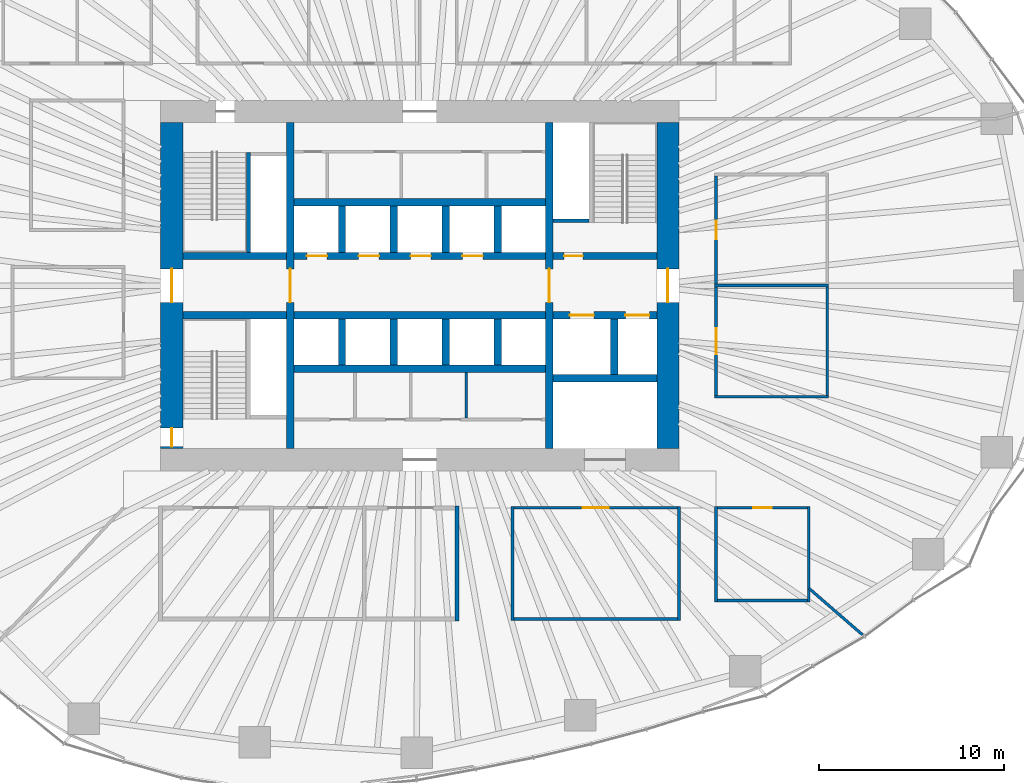
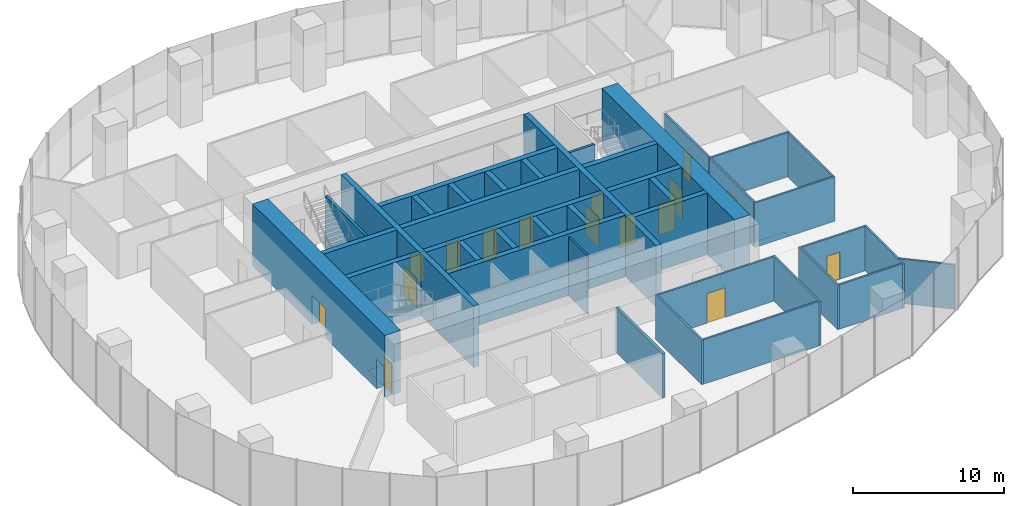
# One storey, part 10 of 19: 40 walls, 16 doors, 16 openings.
"""IFC4 building model written with IfcOpenShell, lengths in metres."""

from ifc_helpers import new_model, si_unit, direction, frame, frame_2d, origin, place, context, subcontext, project, spatial, rectangle, extrude, material, layer, layer_set, type_object, element, fill, save


model = new_model("IFC4")

# Units and contexts
model_context = context("Model", 3, precision=1e-05, world=origin(), true_north=direction((0.0, 1.0)))
body_context = subcontext(model_context, "Body", "Model", "MODEL_VIEW")
ifc_project = project(units=[si_unit("LENGTHUNIT", "METRE"), si_unit("AREAUNIT", "SQUARE_METRE"), si_unit("VOLUMEUNIT", "CUBIC_METRE"), si_unit("PLANEANGLEUNIT", "RADIAN"), si_unit("MASSUNIT", "GRAM", prefix="KILO")], contexts=[model_context])

# Site, building, storey
site_placement = place(None, origin())
site = spatial("IfcSite", under=ifc_project, at=site_placement, CompositionType="ELEMENT")
building_placement = place(site_placement, origin())
building = spatial("IfcBuilding", under=site, at=building_placement, Name="Ghaith Harvest Tower", CompositionType="ELEMENT")
storey_placement = place(building_placement, frame((0.0, 0.0, 70.0)))
storey = spatial("IfcBuildingStorey", under=building, at=storey_placement, Name="L14", CompositionType="ELEMENT", Elevation=70.0)

# Walls
ifc_material_1 = material(Name="Concrete blockwork, 1-hour", Category="masonry")
ifc_layer_1 = layer(ifc_material_1, 0.215087890625)
ifc_layer_set_1 = layer_set([ifc_layer_1], Name="BLOCKWORK WALL 215")
wall_type_1 = type_object("IfcWallType", Name="BLOCKWORK WALL 215", PredefinedType="PARTITIONING", material=ifc_layer_set_1)
wall_1_placement = place(storey_placement, frame((2.0, -11.892578125, 0.0), z_axis=(0.0, 0.0, 1.0), x_axis=(0.0, -1.0, 0.0)))
element("IfcWall", 1, at=wall_1_placement, inside=storey, type_object=wall_type_1, Name="Partition L14 row S2 cross wall 4", PredefinedType="PARTITIONING", context=body_context, shape_type="SweptSolid", body=[
    extrude(rectangle(XDim=6.21484375, YDim=0.215087890625, at=frame_2d((3.107421875, 0.0))), origin(), (0.0, 0.0, 1.0), 3.60009765625),
])
ifc_material_2 = material(Name="Concrete blockwork, fair-faced", Category="masonry")
ifc_layer_2 = layer(ifc_material_2, 0.139892578125)
ifc_layer_set_2 = layer_set([ifc_layer_2], Name="CORE PARTITION 140")
wall_type_2 = type_object("IfcWallType", Name="CORE PARTITION 140", PredefinedType="PARTITIONING", material=ifc_layer_set_2)
wall_2_placement = place(storey_placement, frame((2.5, -4.699951171875, 0.0), z_axis=(0.0, 0.0, 1.0), x_axis=(0.0, -1.0, 0.0)))
element("IfcWall", 2, at=wall_2_placement, inside=storey, type_object=wall_type_2, Name="Core partition L14", PredefinedType="PARTITIONING", context=body_context, shape_type="SweptSolid", body=[
    extrude(rectangle(XDim=2.4599609375, YDim=0.139892578125, at=frame_2d((1.22998046875, 0.0))), origin(), (0.0, 0.0, 1.0), 4.75),
])

# Wall, openings, doors
ifc_material_3 = material(Name="Concrete C70/85", Category="concrete")
ifc_layer_3 = layer(ifc_material_3, 1.199951171875)
ifc_layer_set_3 = layer_set([ifc_layer_3], Name="CORE WALL CW1200")
wall_type_3 = type_object("IfcWallType", Name="CORE WALL CW1200", PredefinedType="SHEAR", material=ifc_layer_set_3)
wall_3_placement = place(storey_placement, frame((-13.39990234375, 8.800048828125, 0.0), z_axis=(0.0, 0.0, 1.0), x_axis=(0.0, -1.0, 0.0)))
wall_3 = element("IfcWall", 3, at=wall_3_placement, inside=storey, type_object=wall_type_3, Name="Core wall W L14", PredefinedType="SHEAR", context=body_context, shape_type="SweptSolid", body=[
    extrude(rectangle(XDim=17.60009765625, YDim=1.199951171875, at=frame_2d((8.800048828125, 0.0))), origin(), (0.0, 0.0, 1.0), 5.0),
])
opening_1_placement = place(wall_3_placement, frame((7.89990234375, 0.0, 0.0)))
opening_1 = element("IfcOpeningElement", 4, at=opening_1_placement, cuts=wall_3, Name="Opening 14-001", PredefinedType="OPENING", context=body_context, shape_type="SweptSolid", body=[
    extrude(rectangle(XDim=1.800048828125, YDim=2.39990234375, at=frame_2d((0.89990234375, 1.199951171875))), frame((0.0, 0.60986328125, 0.0), z_axis=(0.0, -1.0, 0.0), x_axis=(1.0, 0.0, 0.0)), (0.0, 0.0, 1.0), 1.219970703125),
])
opening_2_placement = place(wall_3_placement, frame((16.5, 0.0, 0.0)))
opening_2 = element("IfcOpeningElement", 5, at=opening_2_placement, cuts=wall_3, Name="Opening 14-006", PredefinedType="OPENING", context=body_context, shape_type="SweptSolid", body=[
    extrude(rectangle(XDim=1.0, YDim=2.39990234375, at=frame_2d((0.5, 1.199951171875))), frame((0.0, 0.60986328125, 0.0), z_axis=(0.0, -1.0, 0.0), x_axis=(1.0, 0.0, 0.0)), (0.0, 0.0, 1.0), 1.219970703125),
])
ifc_material_4 = material(Name="Steel fire door", Category="steel")
door_type_1 = type_object("IfcDoorType", Name="D3 FD90 1000x2400", OperationType="SINGLE_SWING_LEFT", PredefinedType="DOOR", material=ifc_material_4)
door_1_placement = place(opening_2_placement, origin())
door_1 = element("IfcDoor", 6, at=door_1_placement, inside=storey, type_object=door_type_1, Name="Stair ST3 door", OperationType="SINGLE_SWING_RIGHT", OverallHeight=2.39990234375, OverallWidth=1.0, PredefinedType="DOOR", context=body_context, shape_type="SweptSolid", body=[
    extrude(rectangle(XDim=1.0, YDim=2.39990234375, at=frame_2d((0.5, 1.199951171875))), frame((0.0, 0.02490234375, 0.0), z_axis=(0.0, -1.0, 0.0), x_axis=(1.0, 0.0, 0.0)), (0.0, 0.0, 1.0), 0.050048828125),
])
fill(opening_2, door_1)
ifc_material_5 = material(Name="Steel fire door", Category="steel")
door_type_2 = type_object("IfcDoorType", Name="D4 FD90 PAIR 1800x2400", OperationType="DOUBLE_DOOR_SINGLE_SWING", PredefinedType="DOOR", material=ifc_material_5)
door_2_placement = place(opening_1_placement, origin())
door_2 = element("IfcDoor", 7, at=door_2_placement, inside=storey, type_object=door_type_2, Name="West lobby doors", OperationType="DOUBLE_DOOR_SINGLE_SWING", OverallHeight=2.39990234375, OverallWidth=1.800048828125, PredefinedType="DOOR", context=body_context, shape_type="SweptSolid", body=[
    extrude(rectangle(XDim=1.800048828125, YDim=2.39990234375, at=frame_2d((0.89990234375, 1.199951171875))), frame((0.0, 0.02490234375, 0.0), z_axis=(0.0, -1.0, 0.0), x_axis=(1.0, 0.0, 0.0)), (0.0, 0.0, 1.0), 0.050048828125),
])
fill(opening_1, door_2)

# Wall, opening, door
wall_4_placement = place(storey_placement, frame((13.39990234375, -8.800048828125, 0.0), z_axis=(0.0, 0.0, 1.0), x_axis=(0.0, 1.0, 0.0)))
wall_4 = element("IfcWall", 8, at=wall_4_placement, inside=storey, type_object=wall_type_3, Name="Core wall E L14", PredefinedType="SHEAR", context=body_context, shape_type="SweptSolid", body=[
    extrude(rectangle(XDim=17.60009765625, YDim=1.199951171875, at=frame_2d((8.800048828125, 0.0))), origin(), (0.0, 0.0, 1.0), 5.0),
])
opening_3_placement = place(wall_4_placement, frame((7.89990234375, 0.0, 0.0)))
opening_3 = element("IfcOpeningElement", 9, at=opening_3_placement, cuts=wall_4, Name="Opening 14-002", PredefinedType="OPENING", context=body_context, shape_type="SweptSolid", body=[
    extrude(rectangle(XDim=1.800048828125, YDim=2.39990234375, at=frame_2d((0.89990234375, 1.199951171875))), frame((0.0, 0.60986328125, 0.0), z_axis=(0.0, -1.0, 0.0), x_axis=(1.0, 0.0, 0.0)), (0.0, 0.0, 1.0), 1.219970703125),
])
door_3_placement = place(opening_3_placement, origin())
door_3 = element("IfcDoor", 10, at=door_3_placement, inside=storey, type_object=door_type_2, Name="Fire-fighting lobby doors", OperationType="DOUBLE_DOOR_SINGLE_SWING", OverallHeight=2.39990234375, OverallWidth=1.800048828125, PredefinedType="DOOR", context=body_context, shape_type="SweptSolid", body=[
    extrude(rectangle(XDim=1.800048828125, YDim=2.39990234375, at=frame_2d((0.89990234375, 1.199951171875))), frame((0.0, 0.02490234375, 0.0), z_axis=(0.0, -1.0, 0.0), x_axis=(1.0, 0.0, 0.0)), (0.0, 0.0, 1.0), 0.050048828125),
])
fill(opening_3, door_3)

# Walls
ifc_material_6 = material(Name="Gypsum board on steel studs", Category="steel")
ifc_layer_4 = layer(ifc_material_6, 0.14990234375)
ifc_layer_set_4 = layer_set([ifc_layer_4], Name="PARTITION 150")
wall_type_4 = type_object("IfcWallType", Name="PARTITION 150", PredefinedType="PARTITIONING", material=ifc_layer_set_4)
for number, where, z_axis, x_axis, name in (
    (11, (5.0, -11.925048828125, 0.0), (0.0, 0.0, 1.0), (0.0, -1.0, 0.0), "Partition L14 row S3 cross wall 1"),
    (12, (14.0, -11.925048828125, 0.0), (0.0, 0.0, 1.0), (0.0, -1.0, 0.0), "Partition L14 row S3 cross wall 2"),
):
    element("IfcWall", number, at=place(storey_placement, frame(where, z_axis=z_axis, x_axis=x_axis)), inside=storey, type_object=wall_type_4, Name=name, PredefinedType="PARTITIONING", context=body_context, shape_type="SweptSolid", body=[
        extrude(rectangle(XDim=6.14990234375, YDim=0.14990234375, at=frame_2d((3.074951171875, 0.0))), origin(), (0.0, 0.0, 1.0), 3.60009765625),
    ])

# Wall, opening, door
wall_5_placement = place(storey_placement, frame((5.074951171875, -12.0, 0.0), z_axis=(0.0, 0.0, 1.0), x_axis=(1.0, 0.0, 0.0)))
wall_5 = element("IfcWall", 13, at=wall_5_placement, inside=storey, type_object=wall_type_4, Name="Partition L14-06", PredefinedType="PARTITIONING", context=body_context, shape_type="SweptSolid", body=[
    extrude(rectangle(XDim=8.85009765625, YDim=0.14990234375, at=frame_2d((4.425048828125, 0.0))), origin(), (0.0, 0.0, 1.0), 3.60009765625),
])
opening_4_placement = place(wall_5_placement, frame((3.72509765625, 0.0, 0.0)))
opening_4 = element("IfcOpeningElement", 14, at=opening_4_placement, cuts=wall_5, Name="Opening 14-030", PredefinedType="OPENING", context=body_context, shape_type="SweptSolid", body=[
    extrude(rectangle(XDim=1.39990234375, YDim=2.39990234375, at=frame_2d((0.699951171875, 1.199951171875))), frame((0.0, 0.0849609375, 0.0), z_axis=(0.0, -1.0, 0.0), x_axis=(1.0, 0.0, 0.0)), (0.0, 0.0, 1.0), 0.169921875),
])
ifc_material_7 = material(Name="Stainless steel faced door pair", Category="steel")
door_type_3 = type_object("IfcDoorType", Name="D14 HYGIENE PAIR 1400x2400", OperationType="DOUBLE_DOOR_DOUBLE_SWING", PredefinedType="DOOR", material=ifc_material_7)
door_4_placement = place(opening_4_placement, origin())
door_4 = element("IfcDoor", 15, at=door_4_placement, inside=storey, type_object=door_type_3, Name="Harvest room door", OperationType="DOUBLE_DOOR_DOUBLE_SWING", OverallHeight=2.39990234375, OverallWidth=1.39990234375, PredefinedType="DOOR", context=body_context, shape_type="SweptSolid", body=[
    extrude(rectangle(XDim=1.39990234375, YDim=2.39990234375, at=frame_2d((0.699951171875, 1.199951171875))), frame((0.0, 0.02490234375, 0.0), z_axis=(0.0, -1.0, 0.0), x_axis=(1.0, 0.0, 0.0)), (0.0, 0.0, 1.0), 0.050048828125),
])
fill(opening_4, door_4)

# Walls
wall_6_placement = place(storey_placement, frame((5.074951171875, -18.0, 0.0), z_axis=(0.0, 0.0, 1.0), x_axis=(1.0, 0.0, 0.0)))
element("IfcWall", 16, at=wall_6_placement, inside=storey, type_object=wall_type_4, Name="Partition L14-06", PredefinedType="PARTITIONING", context=body_context, shape_type="SweptSolid", body=[
    extrude(rectangle(XDim=8.85009765625, YDim=0.14990234375, at=frame_2d((4.425048828125, 0.0))), origin(), (0.0, 0.0, 1.0), 3.60009765625),
])
for number, where, z_axis, x_axis, name in (
    (17, (15.925048828125, -6.0, 0.0), (0.0, 0.0, 1.0), (1.0, 0.0, 0.0), "Partition L14 row E5 cross wall 1"),
    (18, (15.925048828125, 0.0, 0.0), (0.0, 0.0, 1.0), (1.0, 0.0, 0.0), "Partition L14 row E5 cross wall 2"),
):
    element("IfcWall", number, at=place(storey_placement, frame(where, z_axis=z_axis, x_axis=x_axis)), inside=storey, type_object=wall_type_4, Name=name, PredefinedType="PARTITIONING", context=body_context, shape_type="SweptSolid", body=[
        extrude(rectangle(XDim=6.14990234375, YDim=0.14990234375, at=frame_2d((3.074951171875, 0.0))), origin(), (0.0, 0.0, 1.0), 3.60009765625),
    ])

# Wall, opening, door
wall_7_placement = place(storey_placement, frame((16.0, -5.925048828125, 0.0), z_axis=(0.0, 0.0, 1.0), x_axis=(0.0, 1.0, 0.0)))
wall_7 = element("IfcWall", 19, at=wall_7_placement, inside=storey, type_object=wall_type_4, Name="Partition L14-08", PredefinedType="PARTITIONING", context=body_context, shape_type="SweptSolid", body=[
    extrude(rectangle(XDim=5.85009765625, YDim=0.14990234375, at=frame_2d((2.925048828125, 0.0))), origin(), (0.0, 0.0, 1.0), 3.60009765625),
])
opening_5_placement = place(wall_7_placement, frame((2.22509765625, 0.0, 0.0)))
opening_5 = element("IfcOpeningElement", 20, at=opening_5_placement, cuts=wall_7, Name="Opening 14-032", PredefinedType="OPENING", context=body_context, shape_type="SweptSolid", body=[
    extrude(rectangle(XDim=1.39990234375, YDim=2.39990234375, at=frame_2d((0.699951171875, 1.199951171875))), frame((0.0, 0.0849609375, 0.0), z_axis=(0.0, -1.0, 0.0), x_axis=(1.0, 0.0, 0.0)), (0.0, 0.0, 1.0), 0.169921875),
])
door_5_placement = place(opening_5_placement, origin())
door_5 = element("IfcDoor", 21, at=door_5_placement, inside=storey, type_object=door_type_3, Name="Washing room door", OperationType="DOUBLE_DOOR_DOUBLE_SWING", OverallHeight=2.39990234375, OverallWidth=1.39990234375, PredefinedType="DOOR", context=body_context, shape_type="SweptSolid", body=[
    extrude(rectangle(XDim=1.39990234375, YDim=2.39990234375, at=frame_2d((0.699951171875, 1.199951171875))), frame((0.0, 0.02490234375, 0.0), z_axis=(0.0, -1.0, 0.0), x_axis=(1.0, 0.0, 0.0)), (0.0, 0.0, 1.0), 0.050048828125),
])
fill(opening_5, door_5)

# Wall
wall_8_placement = place(storey_placement, frame((22.0, -5.925048828125, 0.0), z_axis=(0.0, 0.0, 1.0), x_axis=(0.0, 1.0, 0.0)))
element("IfcWall", 22, at=wall_8_placement, inside=storey, type_object=wall_type_4, Name="Partition L14-08", PredefinedType="PARTITIONING", context=body_context, shape_type="SweptSolid", body=[
    extrude(rectangle(XDim=5.85009765625, YDim=0.14990234375, at=frame_2d((2.925048828125, 0.0))), origin(), (0.0, 0.0, 1.0), 3.60009765625),
])

# Wall, opening, door
wall_9_placement = place(storey_placement, frame((16.0, 0.074951171875, 0.0), z_axis=(0.0, 0.0, 1.0), x_axis=(0.0, 1.0, 0.0)))
wall_9 = element("IfcWall", 23, at=wall_9_placement, inside=storey, type_object=wall_type_4, Name="Partition L14-09", PredefinedType="PARTITIONING", context=body_context, shape_type="SweptSolid", body=[
    extrude(rectangle(XDim=5.85009765625, YDim=0.14990234375, at=frame_2d((2.925048828125, 0.0))), origin(), (0.0, 0.0, 1.0), 3.60009765625),
])
opening_6_placement = place(wall_9_placement, frame((2.425048828125, 0.0, 0.0)))
opening_6 = element("IfcOpeningElement", 24, at=opening_6_placement, cuts=wall_9, Name="Opening 14-033", PredefinedType="OPENING", context=body_context, shape_type="SweptSolid", body=[
    extrude(rectangle(XDim=1.0, YDim=2.199951171875, at=frame_2d((0.5, 1.10009765625))), frame((0.0, 0.0849609375, 0.0), z_axis=(0.0, -1.0, 0.0), x_axis=(1.0, 0.0, 0.0)), (0.0, 0.0, 1.0), 0.169921875),
])
ifc_material_8 = material(Name="Timber door", Category="wood")
door_type_4 = type_object("IfcDoorType", Name="D1 SINGLE 1000x2200", OperationType="SINGLE_SWING_LEFT", PredefinedType="DOOR", material=ifc_material_8)
door_6_placement = place(opening_6_placement, origin())
door_6 = element("IfcDoor", 25, at=door_6_placement, inside=storey, type_object=door_type_4, Name="Crate store door", OperationType="SINGLE_SWING_LEFT", OverallHeight=2.199951171875, OverallWidth=1.0, PredefinedType="DOOR", context=body_context, shape_type="SweptSolid", body=[
    extrude(rectangle(XDim=1.0, YDim=2.199951171875, at=frame_2d((0.5, 1.10009765625))), frame((0.0, 0.02490234375, 0.0), z_axis=(0.0, -1.0, 0.0), x_axis=(1.0, 0.0, 0.0)), (0.0, 0.0, 1.0), 0.050048828125),
])
fill(opening_6, door_6)

# Walls
for number, where, z_axis, x_axis, name in (
    (26, (16.0, -11.925048828125, 0.0), (0.0, 0.0, 1.0), (0.0, -1.0, 0.0), "Partition L14 row S8 cross wall 1"),
    (27, (21.0, -11.925048828125, 0.0), (0.0, 0.0, 1.0), (0.0, -1.0, 0.0), "Partition L14 row S8 cross wall 2"),
):
    element("IfcWall", number, at=place(storey_placement, frame(where, z_axis=z_axis, x_axis=x_axis)), inside=storey, type_object=wall_type_4, Name=name, PredefinedType="PARTITIONING", context=body_context, shape_type="SweptSolid", body=[
        extrude(rectangle(XDim=5.14990234375, YDim=0.14990234375, at=frame_2d((2.574951171875, 0.0))), origin(), (0.0, 0.0, 1.0), 3.60009765625),
    ])

# Wall, opening, door
wall_10_placement = place(storey_placement, frame((16.074951171875, -12.0, 0.0), z_axis=(0.0, 0.0, 1.0), x_axis=(1.0, 0.0, 0.0)))
wall_10 = element("IfcWall", 28, at=wall_10_placement, inside=storey, type_object=wall_type_4, Name="Partition L14-16", PredefinedType="PARTITIONING", context=body_context, shape_type="SweptSolid", body=[
    extrude(rectangle(XDim=4.85009765625, YDim=0.14990234375, at=frame_2d((2.425048828125, 0.0))), origin(), (0.0, 0.0, 1.0), 3.60009765625),
])
opening_7_placement = place(wall_10_placement, frame((1.925048828125, 0.0, 0.0)))
opening_7 = element("IfcOpeningElement", 29, at=opening_7_placement, cuts=wall_10, Name="Opening 14-040", PredefinedType="OPENING", context=body_context, shape_type="SweptSolid", body=[
    extrude(rectangle(XDim=1.0, YDim=2.199951171875, at=frame_2d((0.5, 1.10009765625))), frame((0.0, 0.0849609375, 0.0), z_axis=(0.0, -1.0, 0.0), x_axis=(1.0, 0.0, 0.0)), (0.0, 0.0, 1.0), 0.169921875),
])
door_7_placement = place(opening_7_placement, origin())
door_7 = element("IfcDoor", 30, at=door_7_placement, inside=storey, type_object=door_type_4, Name="Crate store door", OperationType="SINGLE_SWING_LEFT", OverallHeight=2.199951171875, OverallWidth=1.0, PredefinedType="DOOR", context=body_context, shape_type="SweptSolid", body=[
    extrude(rectangle(XDim=1.0, YDim=2.199951171875, at=frame_2d((0.5, 1.10009765625))), frame((0.0, 0.02490234375, 0.0), z_axis=(0.0, -1.0, 0.0), x_axis=(1.0, 0.0, 0.0)), (0.0, 0.0, 1.0), 0.050048828125),
])
fill(opening_7, door_7)

# Walls
wall_11_placement = place(storey_placement, frame((16.074951171875, -17.0, 0.0), z_axis=(0.0, 0.0, 1.0), x_axis=(1.0, 0.0, 0.0)))
element("IfcWall", 31, at=wall_11_placement, inside=storey, type_object=wall_type_4, Name="Partition L14-16", PredefinedType="PARTITIONING", context=body_context, shape_type="SweptSolid", body=[
    extrude(rectangle(XDim=4.85009765625, YDim=0.14990234375, at=frame_2d((2.425048828125, 0.0))), origin(), (0.0, 0.0, 1.0), 3.60009765625),
])
wall_12_placement = place(storey_placement, frame((21.02001953125, -16.35400390625, 0.0), z_axis=(0.0, 0.0, 1.0), x_axis=(0.755425653008, -0.655234372402, 0.0)))
element("IfcWall", 32, at=wall_12_placement, inside=storey, type_object=wall_type_4, Name="Partition L14 zone division", PredefinedType="PARTITIONING", context=body_context, shape_type="SweptSolid", body=[
    extrude(rectangle(XDim=3.8232421875, YDim=0.14990234375, at=frame_2d((1.91162109375, 0.0))), origin(), (0.0, 0.0, 1.0), 3.60009765625),
])

# Wall, opening, door
ifc_material_9 = material(Name="Concrete C70/85", Category="concrete")
ifc_layer_5 = layer(ifc_material_9, 0.39990234375)
ifc_layer_set_5 = layer_set([ifc_layer_5], Name="SHAFT WALL 400")
wall_type_5 = type_object("IfcWallType", Name="SHAFT WALL 400", PredefinedType="SHEAR", material=ifc_layer_set_5)
wall_13_placement = place(storey_placement, frame((-7.0, -8.800048828125, 0.0), z_axis=(0.0, 0.0, 1.0), x_axis=(0.0, 1.0, 0.0)))
wall_13 = element("IfcWall", 33, at=wall_13_placement, inside=storey, type_object=wall_type_5, Name="Shaft wall W7W L14", PredefinedType="SHEAR", context=body_context, shape_type="SweptSolid", body=[
    extrude(rectangle(XDim=17.60009765625, YDim=0.39990234375, at=frame_2d((8.800048828125, 0.0))), origin(), (0.0, 0.0, 1.0), 5.0),
])
opening_8_placement = place(wall_13_placement, frame((7.89990234375, 0.0, 0.0)))
opening_8 = element("IfcOpeningElement", 34, at=opening_8_placement, cuts=wall_13, Name="Opening 14-003", PredefinedType="OPENING", context=body_context, shape_type="SweptSolid", body=[
    extrude(rectangle(XDim=1.800048828125, YDim=2.39990234375, at=frame_2d((0.89990234375, 1.199951171875))), frame((0.0, 0.2099609375, 0.0), z_axis=(0.0, -1.0, 0.0), x_axis=(1.0, 0.0, 0.0)), (0.0, 0.0, 1.0), 0.419921875),
])
door_8_placement = place(opening_8_placement, origin())
door_8 = element("IfcDoor", 35, at=door_8_placement, inside=storey, type_object=door_type_2, Name="Lift lobby doors, west", OperationType="DOUBLE_DOOR_SINGLE_SWING", OverallHeight=2.39990234375, OverallWidth=1.800048828125, PredefinedType="DOOR", context=body_context, shape_type="SweptSolid", body=[
    extrude(rectangle(XDim=1.800048828125, YDim=2.39990234375, at=frame_2d((0.89990234375, 1.199951171875))), frame((0.0, 0.02490234375, 0.0), z_axis=(0.0, -1.0, 0.0), x_axis=(1.0, 0.0, 0.0)), (0.0, 0.0, 1.0), 0.050048828125),
])
fill(opening_8, door_8)

wall_14_placement = place(storey_placement, frame((7.0, -8.800048828125, 0.0), z_axis=(0.0, 0.0, 1.0), x_axis=(0.0, 1.0, 0.0)))
wall_14 = element("IfcWall", 36, at=wall_14_placement, inside=storey, type_object=wall_type_5, Name="Shaft wall W7E L14", PredefinedType="SHEAR", context=body_context, shape_type="SweptSolid", body=[
    extrude(rectangle(XDim=17.60009765625, YDim=0.39990234375, at=frame_2d((8.800048828125, 0.0))), origin(), (0.0, 0.0, 1.0), 5.0),
])
opening_9_placement = place(wall_14_placement, frame((7.89990234375, 0.0, 0.0)))
opening_9 = element("IfcOpeningElement", 37, at=opening_9_placement, cuts=wall_14, Name="Opening 14-004", PredefinedType="OPENING", context=body_context, shape_type="SweptSolid", body=[
    extrude(rectangle(XDim=1.800048828125, YDim=2.39990234375, at=frame_2d((0.89990234375, 1.199951171875))), frame((0.0, 0.2099609375, 0.0), z_axis=(0.0, -1.0, 0.0), x_axis=(1.0, 0.0, 0.0)), (0.0, 0.0, 1.0), 0.419921875),
])
door_9_placement = place(opening_9_placement, origin())
door_9 = element("IfcDoor", 38, at=door_9_placement, inside=storey, type_object=door_type_2, Name="Lift lobby doors, east", OperationType="DOUBLE_DOOR_SINGLE_SWING", OverallHeight=2.39990234375, OverallWidth=1.800048828125, PredefinedType="DOOR", context=body_context, shape_type="SweptSolid", body=[
    extrude(rectangle(XDim=1.800048828125, YDim=2.39990234375, at=frame_2d((0.89990234375, 1.199951171875))), frame((0.0, 0.02490234375, 0.0), z_axis=(0.0, -1.0, 0.0), x_axis=(1.0, 0.0, 0.0)), (0.0, 0.0, 1.0), 0.050048828125),
])
fill(opening_9, door_9)

# Wall, openings, doors
wall_15_placement = place(storey_placement, frame((-6.800048828125, 1.60009765625, 0.0), z_axis=(0.0, 0.0, 1.0), x_axis=(1.0, 0.0, 0.0)))
wall_15 = element("IfcWall", 39, at=wall_15_placement, inside=storey, type_object=wall_type_5, Name="Shaft wall LN L14", PredefinedType="SHEAR", context=body_context, shape_type="SweptSolid", body=[
    extrude(rectangle(XDim=13.60009765625, YDim=0.39990234375, at=frame_2d((6.800048828125, 0.0))), origin(), (0.0, 0.0, 1.0), 5.0),
])
opening_10_placement = place(wall_15_placement, frame((0.699951171875, 0.0, 0.0)))
opening_10 = element("IfcOpeningElement", 40, at=opening_10_placement, cuts=wall_15, Name="Opening 14-018", PredefinedType="OPENING", context=body_context, shape_type="SweptSolid", body=[
    extrude(rectangle(XDim=1.10009765625, YDim=2.39990234375, at=frame_2d((0.550048828125, 1.199951171875))), frame((0.0, 0.2099609375, 0.0), z_axis=(0.0, -1.0, 0.0), x_axis=(1.0, 0.0, 0.0)), (0.0, 0.0, 1.0), 0.419921875),
])
opening_11_placement = place(wall_15_placement, frame((3.5, 0.0, 0.0)))
opening_11 = element("IfcOpeningElement", 41, at=opening_11_placement, cuts=wall_15, Name="Opening 14-019", PredefinedType="OPENING", context=body_context, shape_type="SweptSolid", body=[
    extrude(rectangle(XDim=1.10009765625, YDim=2.39990234375, at=frame_2d((0.550048828125, 1.199951171875))), frame((0.0, 0.2099609375, 0.0), z_axis=(0.0, -1.0, 0.0), x_axis=(1.0, 0.0, 0.0)), (0.0, 0.0, 1.0), 0.419921875),
])
opening_12_placement = place(wall_15_placement, frame((6.300048828125, 0.0, 0.0)))
opening_12 = element("IfcOpeningElement", 42, at=opening_12_placement, cuts=wall_15, Name="Opening 14-020", PredefinedType="OPENING", context=body_context, shape_type="SweptSolid", body=[
    extrude(rectangle(XDim=1.10009765625, YDim=2.39990234375, at=frame_2d((0.550048828125, 1.199951171875))), frame((0.0, 0.2099609375, 0.0), z_axis=(0.0, -1.0, 0.0), x_axis=(1.0, 0.0, 0.0)), (0.0, 0.0, 1.0), 0.419921875),
])
opening_13_placement = place(wall_15_placement, frame((9.10009765625, 0.0, 0.0)))
opening_13 = element("IfcOpeningElement", 43, at=opening_13_placement, cuts=wall_15, Name="Opening 14-021", PredefinedType="OPENING", context=body_context, shape_type="SweptSolid", body=[
    extrude(rectangle(XDim=1.10009765625, YDim=2.39990234375, at=frame_2d((0.550048828125, 1.199951171875))), frame((0.0, 0.2099609375, 0.0), z_axis=(0.0, -1.0, 0.0), x_axis=(1.0, 0.0, 0.0)), (0.0, 0.0, 1.0), 0.419921875),
])
ifc_material_10 = material(Name="Steel fire door", Category="steel")
door_type_5 = type_object("IfcDoorType", Name="LD1 LANDING 1100x2400", OperationType="DOUBLE_DOOR_SLIDING", PredefinedType="DOOR", material=ifc_material_10)
door_10_placement = place(opening_10_placement, origin())
door_10 = element("IfcDoor", 44, at=door_10_placement, inside=storey, type_object=door_type_5, Name="Landing door, lift FA1", OperationType="DOUBLE_DOOR_SLIDING", OverallHeight=2.39990234375, OverallWidth=1.10009765625, PredefinedType="DOOR", context=body_context, shape_type="SweptSolid", body=[
    extrude(rectangle(XDim=1.10009765625, YDim=2.39990234375, at=frame_2d((0.550048828125, 1.199951171875))), frame((0.0, 0.02490234375, 0.0), z_axis=(0.0, -1.0, 0.0), x_axis=(1.0, 0.0, 0.0)), (0.0, 0.0, 1.0), 0.050048828125),
])
fill(opening_10, door_10)
door_11_placement = place(opening_11_placement, origin())
door_11 = element("IfcDoor", 45, at=door_11_placement, inside=storey, type_object=door_type_5, Name="Landing door, lift FA2", OperationType="DOUBLE_DOOR_SLIDING", OverallHeight=2.39990234375, OverallWidth=1.10009765625, PredefinedType="DOOR", context=body_context, shape_type="SweptSolid", body=[
    extrude(rectangle(XDim=1.10009765625, YDim=2.39990234375, at=frame_2d((0.550048828125, 1.199951171875))), frame((0.0, 0.02490234375, 0.0), z_axis=(0.0, -1.0, 0.0), x_axis=(1.0, 0.0, 0.0)), (0.0, 0.0, 1.0), 0.050048828125),
])
fill(opening_11, door_11)
door_12_placement = place(opening_12_placement, origin())
door_12 = element("IfcDoor", 46, at=door_12_placement, inside=storey, type_object=door_type_5, Name="Landing door, lift FA3", OperationType="DOUBLE_DOOR_SLIDING", OverallHeight=2.39990234375, OverallWidth=1.10009765625, PredefinedType="DOOR", context=body_context, shape_type="SweptSolid", body=[
    extrude(rectangle(XDim=1.10009765625, YDim=2.39990234375, at=frame_2d((0.550048828125, 1.199951171875))), frame((0.0, 0.02490234375, 0.0), z_axis=(0.0, -1.0, 0.0), x_axis=(1.0, 0.0, 0.0)), (0.0, 0.0, 1.0), 0.050048828125),
])
fill(opening_12, door_12)
door_13_placement = place(opening_13_placement, origin())
door_13 = element("IfcDoor", 47, at=door_13_placement, inside=storey, type_object=door_type_5, Name="Landing door, lift FA4", OperationType="DOUBLE_DOOR_SLIDING", OverallHeight=2.39990234375, OverallWidth=1.10009765625, PredefinedType="DOOR", context=body_context, shape_type="SweptSolid", body=[
    extrude(rectangle(XDim=1.10009765625, YDim=2.39990234375, at=frame_2d((0.550048828125, 1.199951171875))), frame((0.0, 0.02490234375, 0.0), z_axis=(0.0, -1.0, 0.0), x_axis=(1.0, 0.0, 0.0)), (0.0, 0.0, 1.0), 0.050048828125),
])
fill(opening_13, door_13)

# Walls
for number, where, z_axis, x_axis, name in (
    (48, (-6.800048828125, -1.60009765625, 0.0), (0.0, 0.0, 1.0), (1.0, 0.0, 0.0), "Shaft wall LS L14"),
    (49, (-6.800048828125, 4.5, 0.0), (0.0, 0.0, 1.0), (1.0, 0.0, 0.0), "Shaft wall BN L14"),
    (50, (-6.800048828125, -4.5, 0.0), (0.0, 0.0, 1.0), (1.0, 0.0, 0.0), "Shaft wall BS L14"),
):
    element("IfcWall", number, at=place(storey_placement, frame(where, z_axis=z_axis, x_axis=x_axis)), inside=storey, type_object=wall_type_5, Name=name, PredefinedType="SHEAR", context=body_context, shape_type="SweptSolid", body=[
        extrude(rectangle(XDim=13.60009765625, YDim=0.39990234375, at=frame_2d((6.800048828125, 0.0))), origin(), (0.0, 0.0, 1.0), 5.0),
    ])
for number, where, z_axis, x_axis, name in (
    (51, (-12.800048828125, 1.60009765625, 0.0), (0.0, 0.0, 1.0), (1.0, 0.0, 0.0), "Shaft wall WN L14"),
    (52, (-12.800048828125, -1.60009765625, 0.0), (0.0, 0.0, 1.0), (1.0, 0.0, 0.0), "Shaft wall WS L14"),
):
    element("IfcWall", number, at=place(storey_placement, frame(where, z_axis=z_axis, x_axis=x_axis)), inside=storey, type_object=wall_type_5, Name=name, PredefinedType="SHEAR", context=body_context, shape_type="SweptSolid", body=[
        extrude(rectangle(XDim=5.60009765625, YDim=0.39990234375, at=frame_2d((2.800048828125, 0.0))), origin(), (0.0, 0.0, 1.0), 5.0),
    ])

# Wall, opening, door
wall_16_placement = place(storey_placement, frame((7.199951171875, 1.60009765625, 0.0), z_axis=(0.0, 0.0, 1.0), x_axis=(1.0, 0.0, 0.0)))
wall_16 = element("IfcWall", 53, at=wall_16_placement, inside=storey, type_object=wall_type_5, Name="Shaft wall EN L14", PredefinedType="SHEAR", context=body_context, shape_type="SweptSolid", body=[
    extrude(rectangle(XDim=5.60009765625, YDim=0.39990234375, at=frame_2d((2.800048828125, 0.0))), origin(), (0.0, 0.0, 1.0), 5.0),
])
opening_14_placement = place(wall_16_placement, frame((0.60009765625, 0.0, 0.0)))
opening_14 = element("IfcOpeningElement", 54, at=opening_14_placement, cuts=wall_16, Name="Opening 14-007", PredefinedType="OPENING", context=body_context, shape_type="SweptSolid", body=[
    extrude(rectangle(XDim=1.0, YDim=2.39990234375, at=frame_2d((0.5, 1.199951171875))), frame((0.0, 0.2099609375, 0.0), z_axis=(0.0, -1.0, 0.0), x_axis=(1.0, 0.0, 0.0)), (0.0, 0.0, 1.0), 0.419921875),
])
door_14_placement = place(opening_14_placement, origin())
door_14 = element("IfcDoor", 55, at=door_14_placement, inside=storey, type_object=door_type_1, Name="Stair ST2 door", OperationType="SINGLE_SWING_LEFT", OverallHeight=2.39990234375, OverallWidth=1.0, PredefinedType="DOOR", context=body_context, shape_type="SweptSolid", body=[
    extrude(rectangle(XDim=1.0, YDim=2.39990234375, at=frame_2d((0.5, 1.199951171875))), frame((0.0, 0.02490234375, 0.0), z_axis=(0.0, -1.0, 0.0), x_axis=(1.0, 0.0, 0.0)), (0.0, 0.0, 1.0), 0.050048828125),
])
fill(opening_14, door_14)

# Wall, openings, doors
wall_17_placement = place(storey_placement, frame((7.199951171875, -1.60009765625, 0.0), z_axis=(0.0, 0.0, 1.0), x_axis=(1.0, 0.0, 0.0)))
wall_17 = element("IfcWall", 56, at=wall_17_placement, inside=storey, type_object=wall_type_5, Name="Shaft wall ES L14", PredefinedType="SHEAR", context=body_context, shape_type="SweptSolid", body=[
    extrude(rectangle(XDim=5.60009765625, YDim=0.39990234375, at=frame_2d((2.800048828125, 0.0))), origin(), (0.0, 0.0, 1.0), 5.0),
])
opening_15_placement = place(wall_17_placement, frame((0.89990234375, 0.0, 0.0)))
opening_15 = element("IfcOpeningElement", 57, at=opening_15_placement, cuts=wall_17, Name="Opening 14-022", PredefinedType="OPENING", context=body_context, shape_type="SweptSolid", body=[
    extrude(rectangle(XDim=1.300048828125, YDim=2.39990234375, at=frame_2d((0.64990234375, 1.199951171875))), frame((0.0, 0.2099609375, 0.0), z_axis=(0.0, -1.0, 0.0), x_axis=(1.0, 0.0, 0.0)), (0.0, 0.0, 1.0), 0.419921875),
])
opening_16_placement = place(wall_17_placement, frame((3.89990234375, 0.0, 0.0)))
opening_16 = element("IfcOpeningElement", 58, at=opening_16_placement, cuts=wall_17, Name="Opening 14-023", PredefinedType="OPENING", context=body_context, shape_type="SweptSolid", body=[
    extrude(rectangle(XDim=1.300048828125, YDim=2.39990234375, at=frame_2d((0.64990234375, 1.199951171875))), frame((0.0, 0.2099609375, 0.0), z_axis=(0.0, -1.0, 0.0), x_axis=(1.0, 0.0, 0.0)), (0.0, 0.0, 1.0), 0.419921875),
])
ifc_material_11 = material(Name="Steel fire door", Category="steel")
door_type_6 = type_object("IfcDoorType", Name="LD2 LANDING 1300x2400", OperationType="DOUBLE_DOOR_SLIDING", PredefinedType="DOOR", material=ifc_material_11)
door_15_placement = place(opening_15_placement, origin())
door_15 = element("IfcDoor", 59, at=door_15_placement, inside=storey, type_object=door_type_6, Name="Landing door, fire service lift FL1", OperationType="DOUBLE_DOOR_SLIDING", OverallHeight=2.39990234375, OverallWidth=1.300048828125, PredefinedType="DOOR", context=body_context, shape_type="SweptSolid", body=[
    extrude(rectangle(XDim=1.300048828125, YDim=2.39990234375, at=frame_2d((0.64990234375, 1.199951171875))), frame((0.0, 0.02490234375, 0.0), z_axis=(0.0, -1.0, 0.0), x_axis=(1.0, 0.0, 0.0)), (0.0, 0.0, 1.0), 0.050048828125),
])
fill(opening_15, door_15)
door_16_placement = place(opening_16_placement, origin())
door_16 = element("IfcDoor", 60, at=door_16_placement, inside=storey, type_object=door_type_6, Name="Landing door, fire service lift FL2", OperationType="DOUBLE_DOOR_SLIDING", OverallHeight=2.39990234375, OverallWidth=1.300048828125, PredefinedType="DOOR", context=body_context, shape_type="SweptSolid", body=[
    extrude(rectangle(XDim=1.300048828125, YDim=2.39990234375, at=frame_2d((0.64990234375, 1.199951171875))), frame((0.0, 0.02490234375, 0.0), z_axis=(0.0, -1.0, 0.0), x_axis=(1.0, 0.0, 0.0)), (0.0, 0.0, 1.0), 0.050048828125),
])
fill(opening_16, door_16)

# Walls
wall_18_placement = place(storey_placement, frame((10.5, -4.800048828125, 0.0), z_axis=(0.0, 0.0, 1.0), x_axis=(0.0, 1.0, 0.0)))
element("IfcWall", 61, at=wall_18_placement, inside=storey, type_object=wall_type_5, Name="Shaft wall FLD L14", PredefinedType="SHEAR", context=body_context, shape_type="SweptSolid", body=[
    extrude(rectangle(XDim=3.0, YDim=0.39990234375, at=frame_2d((1.5, 0.0))), origin(), (0.0, 0.0, 1.0), 5.0),
])
wall_19_placement = place(storey_placement, frame((7.199951171875, -5.0, 0.0), z_axis=(0.0, 0.0, 1.0), x_axis=(1.0, 0.0, 0.0)))
element("IfcWall", 62, at=wall_19_placement, inside=storey, type_object=wall_type_5, Name="Shaft wall FLB L14", PredefinedType="SHEAR", context=body_context, shape_type="SweptSolid", body=[
    extrude(rectangle(XDim=5.60009765625, YDim=0.39990234375, at=frame_2d((2.800048828125, 0.0))), origin(), (0.0, 0.0, 1.0), 5.0),
])
for number, where, z_axis, x_axis, name in (
    (63, (-4.199951171875, 1.800048828125, 0.0), (0.0, 0.0, 1.0), (0.0, 1.0, 0.0), "Shaft wall DN1 L14"),
    (64, (-4.199951171875, -4.300048828125, 0.0), (0.0, 0.0, 1.0), (0.0, 1.0, 0.0), "Shaft wall DS1 L14"),
    (65, (-1.39990234375, 1.800048828125, 0.0), (0.0, 0.0, 1.0), (0.0, 1.0, 0.0), "Shaft wall DN2 L14"),
    (66, (-1.39990234375, -4.300048828125, 0.0), (0.0, 0.0, 1.0), (0.0, 1.0, 0.0), "Shaft wall DS2 L14"),
    (67, (1.39990234375, 1.800048828125, 0.0), (0.0, 0.0, 1.0), (0.0, 1.0, 0.0), "Shaft wall DN3 L14"),
    (68, (1.39990234375, -4.300048828125, 0.0), (0.0, 0.0, 1.0), (0.0, 1.0, 0.0), "Shaft wall DS3 L14"),
    (69, (4.199951171875, 1.800048828125, 0.0), (0.0, 0.0, 1.0), (0.0, 1.0, 0.0), "Shaft wall DN4 L14"),
    (70, (4.199951171875, -4.300048828125, 0.0), (0.0, 0.0, 1.0), (0.0, 1.0, 0.0), "Shaft wall DS4 L14"),
):
    element("IfcWall", number, at=place(storey_placement, frame(where, z_axis=z_axis, x_axis=x_axis)), inside=storey, type_object=wall_type_5, Name=name, PredefinedType="SHEAR", context=body_context, shape_type="SweptSolid", body=[
        extrude(rectangle(XDim=2.5, YDim=0.39990234375, at=frame_2d((1.25, 0.0))), origin(), (0.0, 0.0, 1.0), 5.0),
    ])
ifc_material_12 = material(Name="Concrete C40/50", Category="concrete")
ifc_layer_6 = layer(ifc_material_12, 0.199951171875)
ifc_layer_set_6 = layer_set([ifc_layer_6], Name="STAIR SPINE WALL RC200")
wall_type_6 = type_object("IfcWallType", Name="STAIR SPINE WALL RC200", PredefinedType="SOLIDWALL", material=ifc_layer_set_6)
wall_20_placement = place(storey_placement, frame((-9.25, 7.199951171875, 0.0), z_axis=(0.0, 0.0, 1.0), x_axis=(0.0, -1.0, 0.0)))
element("IfcWall", 71, at=wall_20_placement, inside=storey, type_object=wall_type_6, Name="Stair ST1 spine wall L14", PredefinedType="SOLIDWALL", context=body_context, shape_type="SweptSolid", body=[
    extrude(rectangle(XDim=5.39990234375, YDim=0.199951171875, at=frame_2d((2.699951171875, 0.0))), origin(), (0.0, 0.0, 1.0), 5.0),
])
wall_21_placement = place(storey_placement, frame((9.14990234375, 3.5, 0.0), z_axis=(0.0, 0.0, 1.0), x_axis=(-1.0, 0.0, 0.0)))
element("IfcWall", 72, at=wall_21_placement, inside=storey, type_object=wall_type_6, Name="Stair ST2 spine wall return L14", PredefinedType="SOLIDWALL", context=body_context, shape_type="SweptSolid", body=[
    extrude(rectangle(XDim=1.949951171875, YDim=0.199951171875, at=frame_2d((0.97509765625, 0.0))), origin(), (0.0, 0.0, 1.0), 5.0),
])

save(model, "model.ifc")
